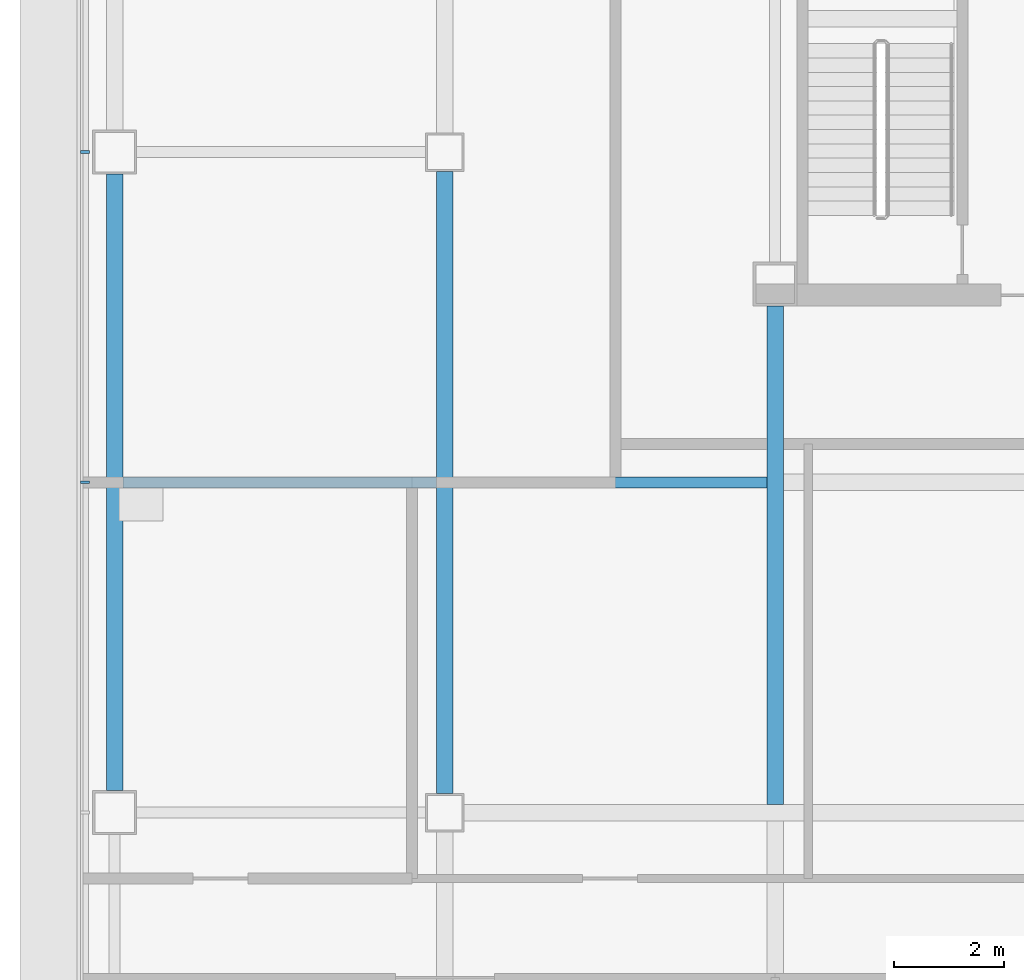
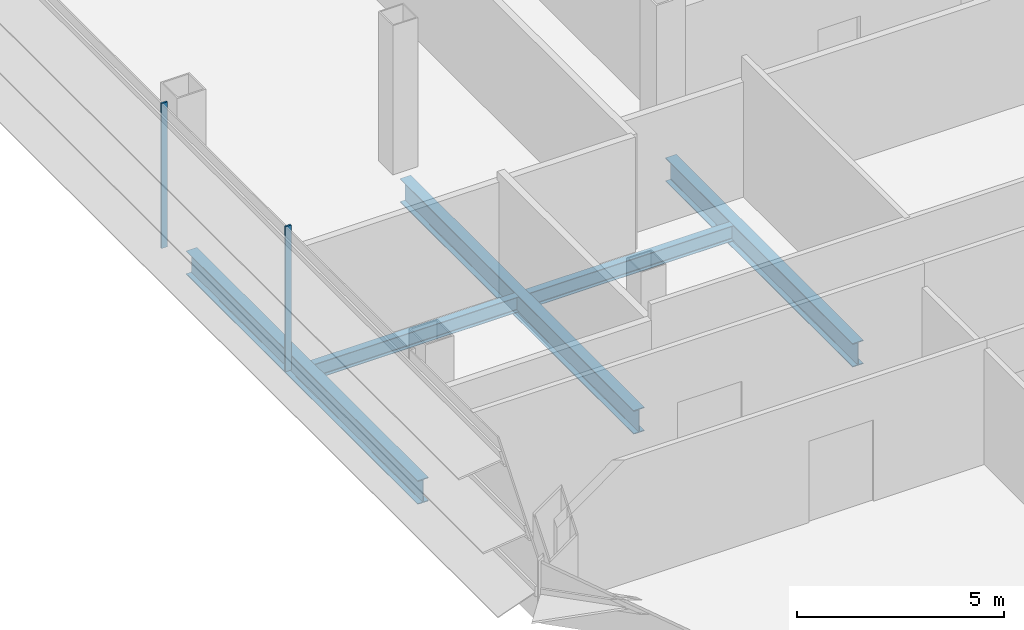
# One storey, part 5 of 28: 5 beams, 2 members, 1 element without a shape of its own.
"""IFC4 building model written with IfcOpenShell, lengths in metres."""

from ifc_helpers import new_model, si_unit, direction, frame, origin, origin_2d, place, context, subcontext, project, spatial, rectangle, i_section, extrude, material, material_profile, profile_set, type_object, element, aggregate, save


model = new_model("IFC4")

# Units and contexts
model_context = context("Model", 3, precision=1e-05, world=origin(), true_north=direction((0.0, 1.0)))
body_context = subcontext(model_context, "Body", "Model", "MODEL_VIEW")
ifc_project = project(units=[si_unit("LENGTHUNIT", "METRE"), si_unit("AREAUNIT", "SQUARE_METRE"), si_unit("VOLUMEUNIT", "CUBIC_METRE"), si_unit("PLANEANGLEUNIT", "RADIAN"), si_unit("MASSUNIT", "GRAM", prefix="KILO")], contexts=[model_context])

# Site, building, storey
site_placement = place(None, origin())
site = spatial("IfcSite", under=ifc_project, at=site_placement, CompositionType="ELEMENT")
building_placement = place(site_placement, origin())
building = spatial("IfcBuilding", under=site, at=building_placement, Name="Sorahane Residences", CompositionType="ELEMENT")
storey_placement = place(building_placement, frame((0.0, 0.0, 134.0)))
storey = spatial("IfcBuildingStorey", under=building, at=storey_placement, Name="L30", CompositionType="ELEMENT", Elevation=134.0)

# Curtain wall, members
ifc_material_1 = material(Name="Dark low-e glass and black anodised aluminium", Category="aluminium")
curtain_wall_type = type_object("IfcCurtainWallType", Name="Curtain wall CW-1 Typical unitised wall", PredefinedType="NOTDEFINED", material=ifc_material_1)
curtain_wall_placement = place(storey_placement, origin())
curtain_wall = element("IfcCurtainWall", 1, at=curtain_wall_placement, inside=storey, type_object=curtain_wall_type, Name="CW-1 curtain wall L30 W1", PredefinedType="NOTDEFINED")
ifc_material_2 = material(Name="Black anodised aluminium", Category="aluminium")
ifc_material_profile_1 = material_profile(ifc_material_2, rectangle(XDim=0.159912109375, YDim=0.050048828125, at=origin_2d()), Name="Curtain wall mullion CW-1 black anodised aluminium 50x160")
ifc_profile_set_1 = profile_set([ifc_material_profile_1], Name="Black anodised aluminium")
member_type = type_object("IfcMemberType", Name="Curtain wall mullion CW-1 black anodised aluminium 50x160", PredefinedType="MULLION", material=ifc_profile_set_1)
member_1_placement = place(storey_placement, frame((-6.5400390625, 24.0, -0.179931640625), z_axis=(0.0, 0.0, 1.0), x_axis=(-1.0, 0.0, 0.0)))
member_1 = element("IfcMember", 2, at=member_1_placement, type_object=member_type, Name="CW-1 mullion L30 W1.4", PredefinedType="MULLION", context=body_context, shape_type="SweptSolid", body=[
    extrude(rectangle(XDim=0.159912109375, YDim=0.050048828125, at=origin_2d()), origin(), (0.0, 0.0, 1.0), 4.280029296875),
])
member_2_placement = place(storey_placement, frame((-6.5400390625, 18.0, -0.179931640625), z_axis=(0.0, 0.0, 1.0), x_axis=(-1.0, 0.0, 0.0)))
member_2 = element("IfcMember", 3, at=member_2_placement, type_object=member_type, Name="CW-1 mullion L30 W1.5", PredefinedType="MULLION", context=body_context, shape_type="SweptSolid", body=[
    extrude(rectangle(XDim=0.159912109375, YDim=0.050048828125, at=origin_2d()), origin(), (0.0, 0.0, 1.0), 4.280029296875),
])
aggregate(curtain_wall, [member_1, member_2])

# Beams
ifc_material_3 = material(Name="Steel Q355B", Category="steel")
ifc_material_profile_2 = material_profile(ifc_material_3, i_section(OverallWidth=0.199951171875, OverallDepth=0.449951171875, WebThickness=0.009033203125, FlangeThickness=0.013916015625, FilletRadius=0.02001953125, at=origin_2d()), Name="HN 450x200x9x14")
ifc_profile_set_2 = profile_set([ifc_material_profile_2], Name="Steel Q355B")
beam_type_1 = type_object("IfcBeamType", Name="Steel floor beam HN 450x200x9x14 Q355B", PredefinedType="BEAM", material=ifc_profile_set_2)
for number, where, z_axis, x_axis, name in (
    (4, (-5.85009765625, 18.0, -0.405029296875), (1.0, 0.0, 0.0), (0.0, 1.0, 0.0), "Beam L30 076"),
    (5, (0.14990234375, 18.0, -0.405029296875), (1.0, 0.0, 0.0), (0.0, 1.0, 0.0), "Beam L30 077"),
):
    element("IfcBeam", number, at=place(storey_placement, frame(where, z_axis=z_axis, x_axis=x_axis)), inside=storey, type_object=beam_type_1, Name=name, PredefinedType="BEAM", context=body_context, shape_type="SweptSolid", body=[
        extrude(i_section(OverallWidth=0.199951171875, OverallDepth=0.449951171875, WebThickness=0.009033203125, FlangeThickness=0.013916015625, FilletRadius=0.02001953125, at=origin_2d()), origin(), (0.0, 0.0, 1.0), 5.7001953125),
    ])
ifc_material_4 = material(Name="Steel Q355B", Category="steel")
ifc_material_profile_3 = material_profile(ifc_material_4, i_section(OverallWidth=0.300048828125, OverallDepth=0.699951171875, WebThickness=0.012939453125, FlangeThickness=0.02392578125, FilletRadius=0.028076171875, at=origin_2d()), Name="HN 700x300x13x24")
ifc_profile_set_3 = profile_set([ifc_material_profile_3], Name="Steel Q355B")
beam_type_2 = type_object("IfcBeamType", Name="Steel floor beam HN 700x300x13x24 Q355B", PredefinedType="BEAM", material=ifc_profile_set_3)
beam_1_placement = place(storey_placement, frame((-6.0, 12.39990234375, -0.530029296875), z_axis=(0.0, 1.0, 0.0), x_axis=(-1.0, 0.0, 0.0)))
element("IfcBeam", 6, at=beam_1_placement, inside=storey, type_object=beam_type_2, Name="Beam L30 021", PredefinedType="BEAM", context=body_context, shape_type="SweptSolid", body=[
    extrude(i_section(OverallWidth=0.300048828125, OverallDepth=0.699951171875, WebThickness=0.012939453125, FlangeThickness=0.02392578125, FilletRadius=0.028076171875, at=origin_2d()), origin(), (0.0, 0.0, 1.0), 11.2001953125),
])
beam_2_placement = place(storey_placement, frame((0.0, 12.35009765625, -0.530029296875), z_axis=(0.0, 1.0, 0.0), x_axis=(-1.0, 0.0, 0.0)))
element("IfcBeam", 7, at=beam_2_placement, inside=storey, type_object=beam_type_2, Name="Beam L30 025", PredefinedType="BEAM", context=body_context, shape_type="SweptSolid", body=[
    extrude(i_section(OverallWidth=0.300048828125, OverallDepth=0.699951171875, WebThickness=0.012939453125, FlangeThickness=0.02392578125, FilletRadius=0.028076171875, at=origin_2d()), origin(), (0.0, 0.0, 1.0), 11.2998046875),
])
beam_3_placement = place(storey_placement, frame((6.0, 12.14990234375, -0.530029296875), z_axis=(0.0, 1.0, 0.0), x_axis=(-1.0, 0.0, 0.0)))
element("IfcBeam", 8, at=beam_3_placement, inside=storey, type_object=beam_type_2, Name="Beam L30 029", PredefinedType="BEAM", context=body_context, shape_type="SweptSolid", body=[
    extrude(i_section(OverallWidth=0.300048828125, OverallDepth=0.699951171875, WebThickness=0.012939453125, FlangeThickness=0.02392578125, FilletRadius=0.028076171875, at=origin_2d()), origin(), (0.0, 0.0, 1.0), 9.050048828125),
])

save(model, "model.ifc")
